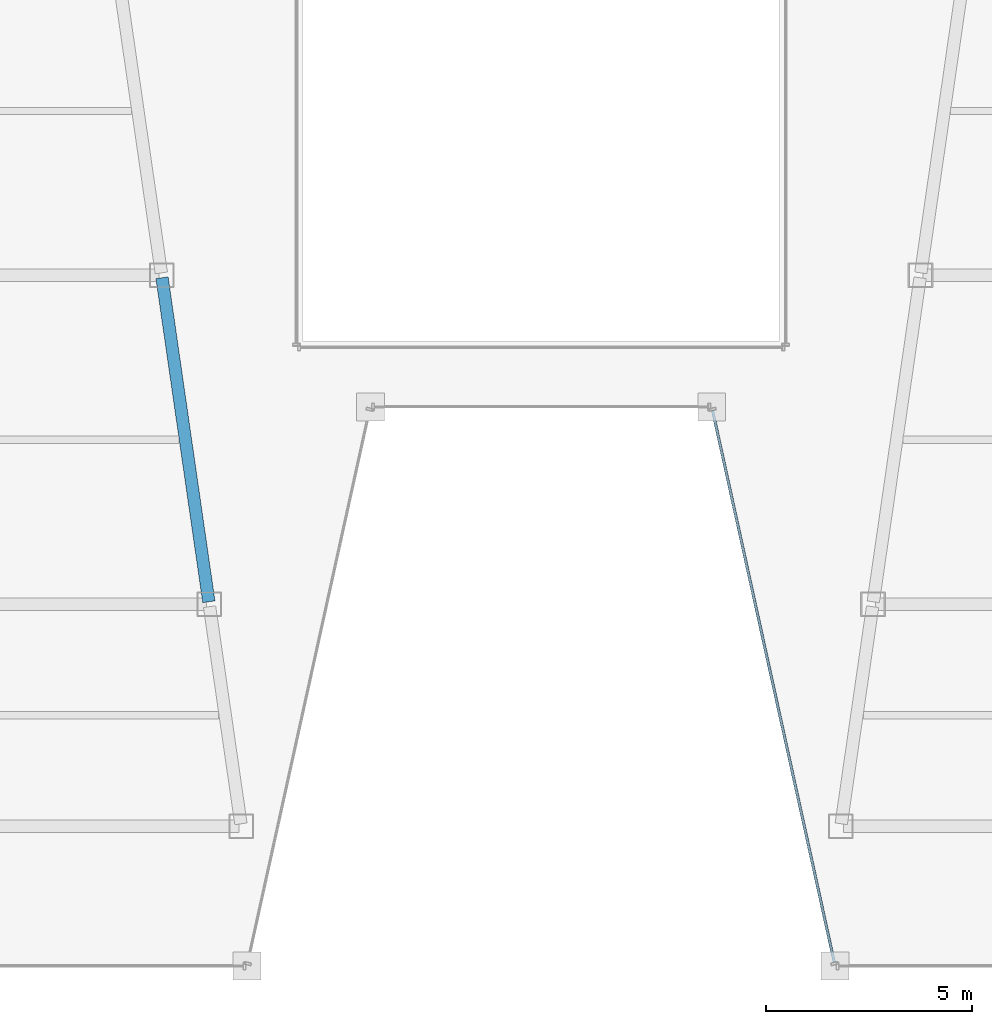
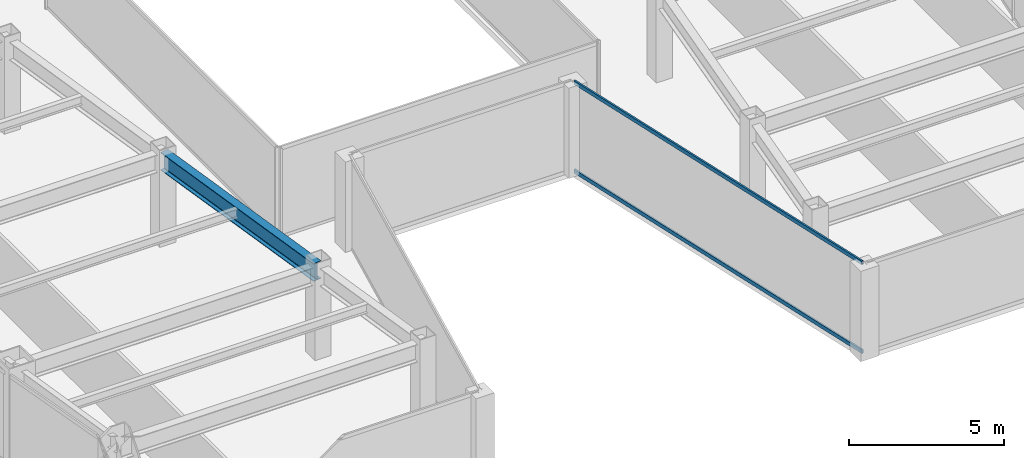
# One storey, part 6 of 36: 2 members, 1 beam, 1 element without a shape of its own.
"""IFC4 building model written with IfcOpenShell, lengths in metres."""

from ifc_helpers import new_model, si_unit, direction, frame, origin, origin_2d, place, context, subcontext, project, spatial, hollow_rectangle, i_section, extrude, material, material_profile, profile_set, type_object, element, aggregate, save


model = new_model("IFC4")

# Units and contexts
model_context = context("Model", 3, precision=1e-05, world=origin(), true_north=direction((0.0, 1.0)))
body_context = subcontext(model_context, "Body", "Model", "MODEL_VIEW")
ifc_project = project(units=[si_unit("LENGTHUNIT", "METRE"), si_unit("AREAUNIT", "SQUARE_METRE"), si_unit("VOLUMEUNIT", "CUBIC_METRE"), si_unit("PLANEANGLEUNIT", "RADIAN"), si_unit("MASSUNIT", "GRAM", prefix="KILO")], contexts=[model_context])

# Site, building, storey
site_placement = place(None, origin())
site = spatial("IfcSite", under=ifc_project, at=site_placement, CompositionType="ELEMENT")
building_placement = place(site_placement, origin())
building = spatial("IfcBuilding", under=site, at=building_placement, Name="Saevonmaru Cultural Tower", CompositionType="ELEMENT")
storey_placement = place(building_placement, frame((0.0, 0.0, 156.199951171875)))
storey = spatial("IfcBuildingStorey", under=building, at=storey_placement, Name="L34", CompositionType="ELEMENT", Elevation=156.199951171875)

# Beam
ifc_material_1 = material(Name="Steel SM355", Category="steel")
ifc_material_profile_1 = material_profile(ifc_material_1, i_section(OverallWidth=0.300048828125, OverallDepth=0.699951171875, WebThickness=0.012939453125, FlangeThickness=0.02392578125, FilletRadius=0.02587890625, at=origin_2d()), Name="H-700x300x13x24")
ifc_profile_set_1 = profile_set([ifc_material_profile_1], Name="Steel SM355")
beam_type = type_object("IfcBeamType", Name="BM-G-H700", PredefinedType="BEAM", material=ifc_profile_set_1)
beam_placement = place(storey_placement, frame((21.91943359375, 16.059326171875, 3.199951171875), z_axis=(-0.143022161059, 0.989719486241, 0.0), x_axis=(-0.989719486241, -0.143022161059, 0.0)))
element("IfcBeam", 1, at=beam_placement, inside=storey, type_object=beam_type, Name="L34 West Atrium Girder 2", PredefinedType="BEAM", context=body_context, shape_type="SweptSolid", body=[
    extrude(i_section(OverallWidth=0.300048828125, OverallDepth=0.699951171875, WebThickness=0.012939453125, FlangeThickness=0.02392578125, FilletRadius=0.02587890625, at=origin_2d()), origin(), (0.0, 0.0, 1.0), 7.963134765625),
])

# Curtain wall, members
ifc_material_2 = material(Name="Satin Bronze Anodised Aluminium", Category="aluminium")
curtain_wall_type = type_object("IfcCurtainWallType", Name="CW-TYP-A", PredefinedType="NOTDEFINED", material=ifc_material_2)
curtain_wall_placement = place(storey_placement, origin())
curtain_wall = element("IfcCurtainWall", 2, at=curtain_wall_placement, inside=storey, type_object=curtain_wall_type, Name="L34 Unitised Curtain Wall E5", PredefinedType="NOTDEFINED")
ifc_material_profile_2 = material_profile(ifc_material_2, hollow_rectangle(XDim=0.06494140625, YDim=0.14990234375, WallThickness=0.00390625, at=origin_2d()), Name="ALU-TRAN-150x65x4")
ifc_profile_set_2 = profile_set([ifc_material_profile_2], Name="Satin Bronze Anodised Aluminium")
member_type = type_object("IfcMemberType", Name="TR-CW-150x65", PredefinedType="USERDEFINED", material=ifc_profile_set_2)
member_1_placement = place(storey_placement, frame((34.1708984375, 20.709716796875, 0.032470703125), z_axis=(0.21541214732, -0.976523223885, 0.0), x_axis=(0.976523223885, 0.21541214732, 0.0)))
member_1 = element("IfcMember", 3, at=member_1_placement, type_object=member_type, Name="CW-TW-L34-E5 transom 1.1", ObjectType="TRANSOM", PredefinedType="USERDEFINED", context=body_context, shape_type="SweptSolid", body=[
    extrude(hollow_rectangle(XDim=0.06494140625, YDim=0.14990234375, WallThickness=0.00390625, at=origin_2d()), origin(), (0.0, 0.0, 1.0), 13.741943359375),
])
member_2_placement = place(storey_placement, frame((34.1708984375, 20.709716796875, 3.517578125), z_axis=(0.21541214732, -0.976523223885, 0.0), x_axis=(0.976523223885, 0.21541214732, 0.0)))
member_2 = element("IfcMember", 4, at=member_2_placement, type_object=member_type, Name="CW-TW-L34-E5 transom 1.2", ObjectType="TRANSOM", PredefinedType="USERDEFINED", context=body_context, shape_type="SweptSolid", body=[
    extrude(hollow_rectangle(XDim=0.06494140625, YDim=0.14990234375, WallThickness=0.00390625, at=origin_2d()), origin(), (0.0, 0.0, 1.0), 13.741943359375),
])
aggregate(curtain_wall, [member_1, member_2])

save(model, "model.ifc")
